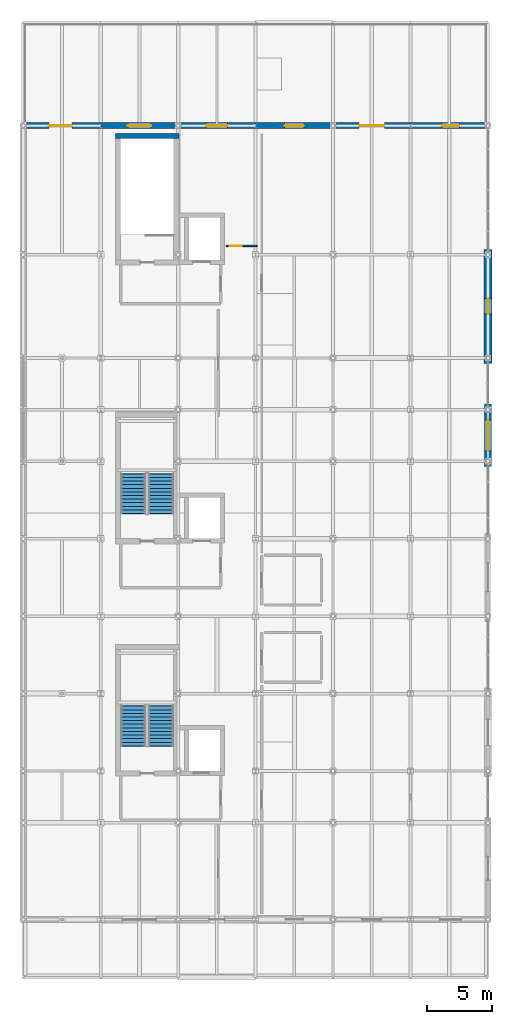
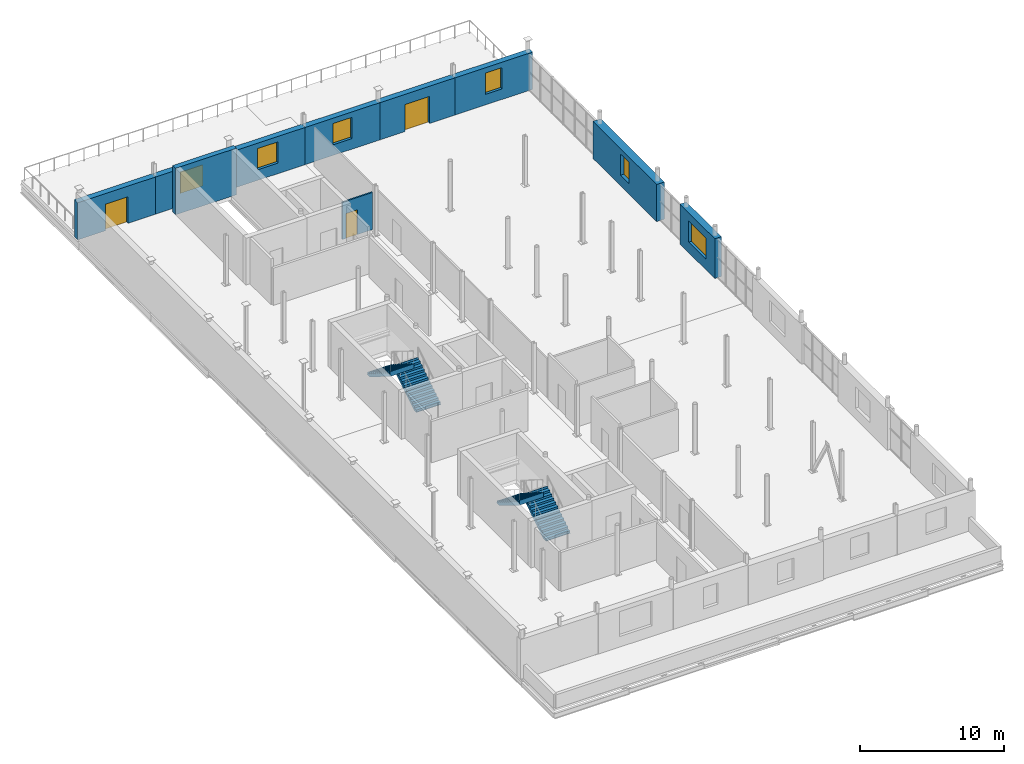
# One storey, part 28 of 30: 10 walls, 6 windows, 4 stair flights, 3 doors, 9 openings, 2 elements without a shape of their own.
"""IFC4 building model written with IfcOpenShell, lengths in metres."""

from ifc_helpers import new_model, si_unit, direction, frame, frame_2d, origin, place, context, subcontext, project, spatial, polyline, rectangle, outline, extrude, material, layer, layer_set, type_object, element, fill, aggregate, save


model = new_model("IFC4")

# Units and contexts
model_context = context("Model", 3, precision=1e-05, world=origin(), true_north=direction((0.0, 1.0)))
body_context = subcontext(model_context, "Body", "Model", "MODEL_VIEW")
ifc_project = project(units=[si_unit("LENGTHUNIT", "METRE"), si_unit("AREAUNIT", "SQUARE_METRE"), si_unit("VOLUMEUNIT", "CUBIC_METRE"), si_unit("PLANEANGLEUNIT", "RADIAN"), si_unit("MASSUNIT", "GRAM", prefix="KILO")], contexts=[model_context])

# Site, building, storey
site_placement = place(None, origin())
site = spatial("IfcSite", under=ifc_project, at=site_placement, CompositionType="ELEMENT")
building_placement = place(site_placement, origin())
building = spatial("IfcBuilding", under=site, at=building_placement, Name="Verrall Gate Interchange", CompositionType="ELEMENT")
storey_placement = place(building_placement, frame((0.0, 0.0, 19.39990234375)))
storey = spatial("IfcBuildingStorey", under=building, at=storey_placement, Name="L05", CompositionType="ELEMENT", Elevation=19.39990234375)

# Wall, opening, window
ifc_material_1 = material(Name="Tyndall Dolomitic Limestone Ashlar Cavity Assembly (U=0.18)", Category="masonry")
ifc_layer_1 = layer(ifc_material_1, 0.4599609375)
ifc_layer_set_1 = layer_set([ifc_layer_1], Name="Tyndall Dolomitic Limestone Ashlar Cavity Assembly (U=0.18)")
wall_type_1 = type_object("IfcWallType", Name="EW-02 Exterior Solid Wall 460", PredefinedType="SOLIDWALL", material=ifc_layer_set_1)
wall_1_placement = place(storey_placement, frame((36.25, 66.0, 0.0), z_axis=(0.0, 0.0, 1.0), x_axis=(-1.0, 0.0, 0.0)))
wall_1 = element("IfcWall", 1, at=wall_1_placement, inside=storey, type_object=wall_type_1, Name="L05 Classical Limestone Facade Wall 134", PredefinedType="SOLIDWALL", context=body_context, shape_type="SweptSolid", body=[
    extrude(rectangle(XDim=6.258056640625, YDim=0.4599609375, at=frame_2d((3.12890625, 0.0))), origin(), (0.0, 0.0, 1.0), 3.156982421875),
])
opening_1_placement = place(wall_1_placement, frame((2.4541015625, 0.0, 0.89990234375)))
opening_1 = element("IfcOpeningElement", 2, at=opening_1_placement, cuts=wall_1, Name="Opening WN-02", PredefinedType="OPENING", context=body_context, shape_type="SweptSolid", body=[
    extrude(rectangle(XDim=1.35009765625, YDim=1.800048828125, at=frame_2d((0.675048828125, 0.89990234375))), frame((0.0, 0.244873046875, 0.0), z_axis=(0.0, -1.0, 0.0), x_axis=(1.0, 0.0, 0.0)), (0.0, 0.0, 1.0), 0.48974609375),
])
ifc_material_2 = material(Name="Triple-Glazed Low-E Argon Bronze-Clad Window Unit (U=1.40)", Category="glass")
window_type_1 = type_object("IfcWindowType", Name="WN-02 Classical Deep-Reveal Window 1350x1800", PartitioningType="SINGLE_PANEL", PredefinedType="WINDOW", material=ifc_material_2)
window_1_placement = place(opening_1_placement, origin())
window_1 = element("IfcWindow", 3, at=window_1_placement, inside=storey, type_object=window_type_1, Name="L05 Classical Window 072 (WN-02)", OverallHeight=1.800048828125, OverallWidth=1.35009765625, PartitioningType="SINGLE_PANEL", PredefinedType="WINDOW", context=body_context, shape_type="SweptSolid", body=[
    extrude(rectangle(XDim=1.35009765625, YDim=1.800048828125, at=frame_2d((0.675048828125, 0.89990234375))), frame((0.0, 0.030029296875, 0.0), z_axis=(0.0, -1.0, 0.0), x_axis=(1.0, 0.0, 0.0)), (0.0, 0.0, 1.0), 0.06005859375),
])
fill(opening_1, window_1)

# Wall, opening, door
wall_2_placement = place(storey_placement, frame((30.008056640625, 66.0, 0.0), z_axis=(0.0, 0.0, 1.0), x_axis=(-1.0, 0.0, 0.0)))
wall_2 = element("IfcWall", 4, at=wall_2_placement, inside=storey, type_object=wall_type_1, Name="L05 Classical Limestone Facade Wall 135", PredefinedType="SOLIDWALL", context=body_context, shape_type="SweptSolid", body=[
    extrude(rectangle(XDim=6.01611328125, YDim=0.4599609375, at=frame_2d((3.008056640625, 0.0))), origin(), (0.0, 0.0, 1.0), 3.156982421875),
])
opening_2_placement = place(wall_2_placement, frame((2.032958984375, 0.0, 0.0)))
opening_2 = element("IfcOpeningElement", 5, at=opening_2_placement, cuts=wall_2, Name="Opening E48", PredefinedType="OPENING", context=body_context, shape_type="SweptSolid", body=[
    extrude(rectangle(XDim=1.949951171875, YDim=2.300048828125, at=frame_2d((0.97509765625, 1.14990234375))), frame((0.0, 0.244873046875, 0.0), z_axis=(0.0, -1.0, 0.0), x_axis=(1.0, 0.0, 0.0)), (0.0, 0.0, 1.0), 0.48974609375),
])
ifc_material_3 = material(Name="Thermally Broken Bronze-Anodized Aluminium Entrance Assembly", Category="aluminium")
door_type_1 = type_object("IfcDoorType", Name="GD-02 Exterior Entrance Door 1950x2300", OperationType="NOTDEFINED", PredefinedType="DOOR", material=ifc_material_3)
door_1_placement = place(opening_2_placement, origin())
door_1 = element("IfcDoor", 6, at=door_1_placement, inside=storey, type_object=door_type_1, Name="L05 Roof Garden Terrace Door E48", OperationType="DOUBLE_DOOR_SINGLE_SWING", OverallHeight=2.300048828125, OverallWidth=1.949951171875, PredefinedType="DOOR", context=body_context, shape_type="SweptSolid", body=[
    extrude(rectangle(XDim=1.949951171875, YDim=2.300048828125, at=frame_2d((0.97509765625, 1.14990234375))), frame((0.0, 0.02490234375, 0.0), z_axis=(0.0, -1.0, 0.0), x_axis=(1.0, 0.0, 0.0)), (0.0, 0.0, 1.0), 0.050048828125),
])
fill(opening_2, door_1)

# Wall, opening, window
wall_3_placement = place(storey_placement, frame((24.008056640625, 66.0, 0.0), z_axis=(0.0, 0.0, 1.0), x_axis=(-1.0, 0.0, 0.0)))
wall_3 = element("IfcWall", 7, at=wall_3_placement, inside=storey, type_object=wall_type_1, Name="L05 Classical Limestone Facade Wall 136", PredefinedType="SOLIDWALL", context=body_context, shape_type="SweptSolid", body=[
    extrude(rectangle(XDim=6.01611328125, YDim=0.4599609375, at=frame_2d((3.008056640625, 0.0))), origin(), (0.0, 0.0, 1.0), 3.156982421875),
])
opening_3_placement = place(wall_3_placement, frame((2.258056640625, 0.0, 0.89990234375)))
opening_3 = element("IfcOpeningElement", 8, at=opening_3_placement, cuts=wall_3, Name="Opening WN-03", PredefinedType="OPENING", context=body_context, shape_type="SweptSolid", body=[
    extrude(rectangle(XDim=1.5, YDim=1.800048828125, at=frame_2d((0.75, 0.89990234375))), frame((0.0, 0.244873046875, 0.0), z_axis=(0.0, -1.0, 0.0), x_axis=(1.0, 0.0, 0.0)), (0.0, 0.0, 1.0), 0.48974609375),
])
ifc_material_4 = material(Name="Triple-Glazed Low-E Argon Bronze-Clad Window Unit (U=1.40)", Category="glass")
window_type_2 = type_object("IfcWindowType", Name="WN-03 Classical Deep-Reveal Window 1500x1800", PartitioningType="SINGLE_PANEL", PredefinedType="WINDOW", material=ifc_material_4)
window_2_placement = place(opening_3_placement, origin())
window_2 = element("IfcWindow", 9, at=window_2_placement, inside=storey, type_object=window_type_2, Name="L05 Classical Window 073 (WN-03)", OverallHeight=1.800048828125, OverallWidth=1.5, PartitioningType="SINGLE_PANEL", PredefinedType="WINDOW", context=body_context, shape_type="SweptSolid", body=[
    extrude(rectangle(XDim=1.5, YDim=1.800048828125, at=frame_2d((0.75, 0.89990234375))), frame((0.0, 0.030029296875, 0.0), z_axis=(0.0, -1.0, 0.0), x_axis=(1.0, 0.0, 0.0)), (0.0, 0.0, 1.0), 0.06005859375),
])
fill(opening_3, window_2)

wall_4_placement = place(storey_placement, frame((18.008056640625, 66.0, 0.0), z_axis=(0.0, 0.0, 1.0), x_axis=(-1.0, 0.0, 0.0)))
wall_4 = element("IfcWall", 10, at=wall_4_placement, inside=storey, type_object=wall_type_1, Name="L05 Classical Limestone Facade Wall 137", PredefinedType="SOLIDWALL", context=body_context, shape_type="SweptSolid", body=[
    extrude(rectangle(XDim=6.01611328125, YDim=0.4599609375, at=frame_2d((3.008056640625, 0.0))), origin(), (0.0, 0.0, 1.0), 3.156982421875),
])
opening_4_placement = place(wall_4_placement, frame((2.18310546875, 0.0, 0.89990234375)))
opening_4 = element("IfcOpeningElement", 11, at=opening_4_placement, cuts=wall_4, Name="Opening WN-04", PredefinedType="OPENING", context=body_context, shape_type="SweptSolid", body=[
    extrude(rectangle(XDim=1.64990234375, YDim=1.800048828125, at=frame_2d((0.824951171875, 0.89990234375))), frame((0.0, 0.244873046875, 0.0), z_axis=(0.0, -1.0, 0.0), x_axis=(1.0, 0.0, 0.0)), (0.0, 0.0, 1.0), 0.48974609375),
])
ifc_material_5 = material(Name="Triple-Glazed Low-E Argon Bronze-Clad Window Unit (U=1.40)", Category="glass")
window_type_3 = type_object("IfcWindowType", Name="WN-04 Classical Deep-Reveal Window 1650x1800", PartitioningType="SINGLE_PANEL", PredefinedType="WINDOW", material=ifc_material_5)
window_3_placement = place(opening_4_placement, origin())
window_3 = element("IfcWindow", 12, at=window_3_placement, inside=storey, type_object=window_type_3, Name="L05 Classical Window 074 (WN-04)", OverallHeight=1.800048828125, OverallWidth=1.64990234375, PartitioningType="SINGLE_PANEL", PredefinedType="WINDOW", context=body_context, shape_type="SweptSolid", body=[
    extrude(rectangle(XDim=1.64990234375, YDim=1.800048828125, at=frame_2d((0.824951171875, 0.89990234375))), frame((0.0, 0.030029296875, 0.0), z_axis=(0.0, -1.0, 0.0), x_axis=(1.0, 0.0, 0.0)), (0.0, 0.0, 1.0), 0.06005859375),
])
fill(opening_4, window_3)

wall_5_placement = place(storey_placement, frame((12.008056640625, 66.0, 0.0), z_axis=(0.0, 0.0, 1.0), x_axis=(-1.0, 0.0, 0.0)))
wall_5 = element("IfcWall", 13, at=wall_5_placement, inside=storey, type_object=wall_type_1, Name="L05 Classical Limestone Facade Wall 138", PredefinedType="SOLIDWALL", context=body_context, shape_type="SweptSolid", body=[
    extrude(rectangle(XDim=6.01611328125, YDim=0.4599609375, at=frame_2d((3.008056640625, 0.0))), origin(), (0.0, 0.0, 1.0), 3.156982421875),
])
opening_5_placement = place(wall_5_placement, frame((2.10791015625, 0.0, 0.89990234375)))
opening_5 = element("IfcOpeningElement", 14, at=opening_5_placement, cuts=wall_5, Name="Opening WN-05", PredefinedType="OPENING", context=body_context, shape_type="SweptSolid", body=[
    extrude(rectangle(XDim=1.800048828125, YDim=1.800048828125, at=frame_2d((0.89990234375, 0.89990234375))), frame((0.0, 0.244873046875, 0.0), z_axis=(0.0, -1.0, 0.0), x_axis=(1.0, 0.0, 0.0)), (0.0, 0.0, 1.0), 0.48974609375),
])
ifc_material_6 = material(Name="Triple-Glazed Low-E Argon Bronze-Clad Window Unit (U=1.40)", Category="glass")
window_type_4 = type_object("IfcWindowType", Name="WN-05 Classical Deep-Reveal Window 1800x1800", PartitioningType="SINGLE_PANEL", PredefinedType="WINDOW", material=ifc_material_6)
window_4_placement = place(opening_5_placement, origin())
window_4 = element("IfcWindow", 15, at=window_4_placement, inside=storey, type_object=window_type_4, Name="L05 Classical Window 075 (WN-05)", OverallHeight=1.800048828125, OverallWidth=1.800048828125, PartitioningType="SINGLE_PANEL", PredefinedType="WINDOW", context=body_context, shape_type="SweptSolid", body=[
    extrude(rectangle(XDim=1.800048828125, YDim=1.800048828125, at=frame_2d((0.89990234375, 0.89990234375))), frame((0.0, 0.030029296875, 0.0), z_axis=(0.0, -1.0, 0.0), x_axis=(1.0, 0.0, 0.0)), (0.0, 0.0, 1.0), 0.06005859375),
])
fill(opening_5, window_4)

# Wall, opening, door
wall_6_placement = place(storey_placement, frame((6.008056640625, 66.0, 0.0), z_axis=(0.0, 0.0, 1.0), x_axis=(-1.0, 0.0, 0.0)))
wall_6 = element("IfcWall", 16, at=wall_6_placement, inside=storey, type_object=wall_type_1, Name="L05 Classical Limestone Facade Wall 139", PredefinedType="SOLIDWALL", context=body_context, shape_type="SweptSolid", body=[
    extrude(rectangle(XDim=6.258056640625, YDim=0.4599609375, at=frame_2d((3.12890625, 0.0))), origin(), (0.0, 0.0, 1.0), 3.156982421875),
])
opening_6_placement = place(wall_6_placement, frame((2.22900390625, 0.0, 0.0)))
opening_6 = element("IfcOpeningElement", 17, at=opening_6_placement, cuts=wall_6, Name="Opening E49", PredefinedType="OPENING", context=body_context, shape_type="SweptSolid", body=[
    extrude(rectangle(XDim=1.800048828125, YDim=2.25, at=frame_2d((0.89990234375, 1.125))), frame((0.0, 0.244873046875, 0.0), z_axis=(0.0, -1.0, 0.0), x_axis=(1.0, 0.0, 0.0)), (0.0, 0.0, 1.0), 0.48974609375),
])
ifc_material_7 = material(Name="Thermally Broken Bronze-Anodized Aluminium Entrance Assembly", Category="aluminium")
door_type_2 = type_object("IfcDoorType", Name="GD-01 Exterior Entrance Door 1800x2250", OperationType="NOTDEFINED", PredefinedType="DOOR", material=ifc_material_7)
door_2_placement = place(opening_6_placement, origin())
door_2 = element("IfcDoor", 18, at=door_2_placement, inside=storey, type_object=door_type_2, Name="L05 Roof Garden Terrace Door E49", OperationType="DOUBLE_DOOR_SINGLE_SWING", OverallHeight=2.25, OverallWidth=1.800048828125, PredefinedType="DOOR", context=body_context, shape_type="SweptSolid", body=[
    extrude(rectangle(XDim=1.800048828125, YDim=2.25, at=frame_2d((0.89990234375, 1.125))), frame((0.0, 0.02490234375, 0.0), z_axis=(0.0, -1.0, 0.0), x_axis=(1.0, 0.0, 0.0)), (0.0, 0.0, 1.0), 0.050048828125),
])
fill(opening_6, door_2)

# Wall, opening, window
ifc_material_8 = material(Name="Prairie Charcoal Granite Plinth Rainscreen Assembly (U=0.18)", Category="masonry")
ifc_layer_2 = layer(ifc_material_8, 0.52001953125)
ifc_layer_set_2 = layer_set([ifc_layer_2], Name="Prairie Charcoal Granite Plinth Rainscreen Assembly (U=0.18)")
wall_type_2 = type_object("IfcWallType", Name="EW-03 Exterior Solid Wall 520", PredefinedType="SOLIDWALL", material=ifc_layer_set_2)
wall_7_placement = place(storey_placement, frame((36.0, 39.580078125, 0.0), z_axis=(0.0, 0.0, 1.0), x_axis=(0.0, 1.0, 0.0)))
wall_7 = element("IfcWall", 19, at=wall_7_placement, inside=storey, type_object=wall_type_2, Name="L05 Classical Limestone Facade Wall 132", PredefinedType="SOLIDWALL", context=body_context, shape_type="SweptSolid", body=[
    extrude(rectangle(XDim=4.83984375, YDim=0.52001953125, at=frame_2d((2.419921875, 0.0))), origin(), (0.0, 0.0, 1.0), 3.38720703125),
])
opening_7_placement = place(wall_7_placement, frame((1.219970703125, 0.0, 0.89990234375)))
opening_7 = element("IfcOpeningElement", 20, at=opening_7_placement, cuts=wall_7, Name="Opening WN-08", PredefinedType="OPENING", context=body_context, shape_type="SweptSolid", body=[
    extrude(rectangle(XDim=2.39990234375, YDim=1.800048828125, at=frame_2d((1.199951171875, 0.89990234375))), frame((0.0, 0.27490234375, 0.0), z_axis=(0.0, -1.0, 0.0), x_axis=(1.0, 0.0, 0.0)), (0.0, 0.0, 1.0), 0.5498046875),
])
ifc_material_9 = material(Name="Triple-Glazed Low-E Argon Bronze-Clad Window Unit (U=1.40)", Category="glass")
window_type_5 = type_object("IfcWindowType", Name="WN-08 Classical Deep-Reveal Window 2400x1800", PartitioningType="SINGLE_PANEL", PredefinedType="WINDOW", material=ifc_material_9)
window_5_placement = place(opening_7_placement, origin())
window_5 = element("IfcWindow", 21, at=window_5_placement, inside=storey, type_object=window_type_5, Name="L05 Classical Window 070 (WN-08)", OverallHeight=1.800048828125, OverallWidth=2.39990234375, PartitioningType="SINGLE_PANEL", PredefinedType="WINDOW", context=body_context, shape_type="SweptSolid", body=[
    extrude(rectangle(XDim=2.39990234375, YDim=1.800048828125, at=frame_2d((1.199951171875, 0.89990234375))), frame((0.0, 0.030029296875, 0.0), z_axis=(0.0, -1.0, 0.0), x_axis=(1.0, 0.0, 0.0)), (0.0, 0.0, 1.0), 0.06005859375),
])
fill(opening_7, window_5)

ifc_material_10 = material(Name="Prairie Charcoal Granite Plinth Rainscreen Assembly (U=0.18)", Category="masonry")
ifc_layer_3 = layer(ifc_material_10, 0.6201171875)
ifc_layer_set_3 = layer_set([ifc_layer_3], Name="Prairie Charcoal Granite Plinth Rainscreen Assembly (U=0.18)")
wall_type_3 = type_object("IfcWallType", Name="EW-05 Exterior Solid Wall 620", PredefinedType="SOLIDWALL", material=ifc_layer_set_3)
wall_8_placement = place(storey_placement, frame((36.0, 47.580078125, 0.0), z_axis=(0.0, 0.0, 1.0), x_axis=(0.0, 1.0, 0.0)))
wall_8 = element("IfcWall", 22, at=wall_8_placement, inside=storey, type_object=wall_type_3, Name="L05 Classical Limestone Facade Wall 133", PredefinedType="SOLIDWALL", context=body_context, shape_type="SweptSolid", body=[
    extrude(rectangle(XDim=8.83984375, YDim=0.6201171875, at=frame_2d((4.419921875, 0.0))), origin(), (0.0, 0.0, 1.0), 3.156982421875),
])
opening_8_placement = place(wall_8_placement, frame((3.820068359375, 0.0, 0.89990234375)))
opening_8 = element("IfcOpeningElement", 23, at=opening_8_placement, cuts=wall_8, Name="Opening WN-01", PredefinedType="OPENING", context=body_context, shape_type="SweptSolid", body=[
    extrude(rectangle(XDim=1.199951171875, YDim=1.800048828125, at=frame_2d((0.60009765625, 0.89990234375))), frame((0.0, 0.324951171875, 0.0), z_axis=(0.0, -1.0, 0.0), x_axis=(1.0, 0.0, 0.0)), (0.0, 0.0, 1.0), 0.64990234375),
])
ifc_material_11 = material(Name="Triple-Glazed Low-E Argon Bronze-Clad Window Unit (U=1.40)", Category="glass")
window_type_6 = type_object("IfcWindowType", Name="WN-01 Classical Deep-Reveal Window 1200x1800", PartitioningType="SINGLE_PANEL", PredefinedType="WINDOW", material=ifc_material_11)
window_6_placement = place(opening_8_placement, origin())
window_6 = element("IfcWindow", 24, at=window_6_placement, inside=storey, type_object=window_type_6, Name="L05 Classical Window 071 (WN-01)", OverallHeight=1.800048828125, OverallWidth=1.199951171875, PartitioningType="SINGLE_PANEL", PredefinedType="WINDOW", context=body_context, shape_type="SweptSolid", body=[
    extrude(rectangle(XDim=1.199951171875, YDim=1.800048828125, at=frame_2d((0.60009765625, 0.89990234375))), frame((0.0, 0.030029296875, 0.0), z_axis=(0.0, -1.0, 0.0), x_axis=(1.0, 0.0, 0.0)), (0.0, 0.0, 1.0), 0.06005859375),
])
fill(opening_8, window_6)

# Wall, opening, door
ifc_material_12 = material(Name="Acoustic Steel-Stud Partition Assembly", Category="steel")
ifc_layer_4 = layer(ifc_material_12, 0.1201171875)
ifc_layer_set_4 = layer_set([ifc_layer_4], Name="Acoustic Steel-Stud Partition Assembly")
wall_type_4 = type_object("IfcWallType", Name="IW-04 Interior Partition Wall 120", PredefinedType="PARTITIONING", material=ifc_layer_set_4)
wall_9_placement = place(storey_placement, frame((18.1201171875, 56.679931640625, 0.0), z_axis=(0.0, 0.0, 1.0), x_axis=(-1.0, 0.0, 0.0)))
wall_9 = element("IfcWall", 25, at=wall_9_placement, inside=storey, type_object=wall_type_4, Name="L05 Technician Briefing and Break Pantry Partition 089", PredefinedType="PARTITIONING", context=body_context, shape_type="SweptSolid", body=[
    extrude(rectangle(XDim=2.41015625, YDim=0.1201171875, at=frame_2d((1.205078125, 0.0))), origin(), (0.0, 0.0, 1.0), 3.156982421875),
])
opening_9_placement = place(wall_9_placement, frame((1.2099609375, 0.0, 0.0)))
opening_9 = element("IfcOpeningElement", 26, at=opening_9_placement, cuts=wall_9, Name="Opening D061", PredefinedType="OPENING", context=body_context, shape_type="SweptSolid", body=[
    extrude(rectangle(XDim=0.919921875, YDim=2.10009765625, at=frame_2d((0.4599609375, 1.050048828125))), frame((0.0, 0.074951171875, 0.0), z_axis=(0.0, -1.0, 0.0), x_axis=(1.0, 0.0, 0.0)), (0.0, 0.0, 1.0), 0.14990234375),
])
ifc_material_13 = material(Name="Architectural Solid-Core Birch Acoustic Door Assembly", Category="wood")
door_type_3 = type_object("IfcDoorType", Name="ID-10 Interior Swing Door 920x2100", OperationType="NOTDEFINED", PredefinedType="DOOR", material=ifc_material_13)
door_3_placement = place(opening_9_placement, origin())
door_3 = element("IfcDoor", 27, at=door_3_placement, inside=storey, type_object=door_type_3, Name="L05 Technician Briefing and Break Pantry Door D061", OperationType="SINGLE_SWING_RIGHT", OverallHeight=2.10009765625, OverallWidth=0.919921875, PredefinedType="DOOR", context=body_context, shape_type="SweptSolid", body=[
    extrude(rectangle(XDim=0.919921875, YDim=2.10009765625, at=frame_2d((0.4599609375, 1.050048828125))), frame((0.0, 0.02490234375, 0.0), z_axis=(0.0, -1.0, 0.0), x_axis=(1.0, 0.0, 0.0)), (0.0, 0.0, 1.0), 0.050048828125),
])
fill(opening_9, door_3)

# Wall
ifc_material_14 = material(Name="Concrete CSA A23.1 40 MPa (Class N)", Category="concrete")
ifc_layer_5 = layer(ifc_material_14, 0.39990234375)
ifc_layer_set_5 = layer_set([ifc_layer_5], Name="Concrete CSA A23.1 40 MPa (Class N)")
wall_type_5 = type_object("IfcWallType", Name="SW-01 Core Shear Wall 400", PredefinedType="SHEAR", material=ifc_layer_set_5)
wall_10_placement = place(storey_placement, frame((12.050048828125, 65.199951171875, 0.0), z_axis=(0.0, 0.0, 1.0), x_axis=(-1.0, 0.0, 0.0)))
element("IfcWall", 28, at=wall_10_placement, inside=storey, type_object=wall_type_5, Name="L05 Core C3 North Shear Wall", PredefinedType="SHEAR", context=body_context, shape_type="SweptSolid", body=[
    extrude(rectangle(XDim=4.900146484375, YDim=0.39990234375, at=frame_2d((2.4501953125, 0.0))), origin(), (0.0, 0.0, 1.0), 3.9501953125),
])

# Stair, stair flights
ifc_material_15 = material(Name="Concrete CSA A23.1 40 MPa (Class N)", Category="concrete")
stair_type = type_object("IfcStairType", Name="ST-T05 Straight-Flight Return Exit Stair W1950 H4200", PredefinedType="STRAIGHT_RUN_STAIR", material=ifc_material_15)
stair_1_placement = place(storey_placement, origin())
stair_1 = element("IfcStair", 29, at=stair_1_placement, inside=storey, type_object=stair_type, Name="L05 ST-01", PredefinedType="STRAIGHT_RUN_STAIR")
ifc_material_16 = material(Name="Concrete CSA A23.1 40 MPa (Class N)", Category="concrete")
stair_flight_type = type_object("IfcStairFlightType", Name="SF-T05 Concrete Stair Flight W1950 R175 N24", PredefinedType="STRAIGHT", material=ifc_material_16)
stair_flight_1_placement = place(storey_placement, frame((10.675048828125, 17.949951171875, 0.0), z_axis=(0.0, 0.0, 1.0), x_axis=(0.0, 1.0, 0.0)))
stair_flight_1 = element("IfcStairFlight", 30, at=stair_flight_1_placement, type_object=stair_flight_type, Name="ST-01 flight 1", NumberOfRisers=12, NumberOfTreads=11, PredefinedType="STRAIGHT", RiserHeight=0.175, TreadLength=0.28, context=body_context, shape_type="SweptSolid", body=[
    extrude(outline(polyline([(-0.034912109375, -0.02001953125), (-0.034912109375, 0.0), (0.0, 0.0), (0.0, 0.175048828125), (0.280029296875, 0.175048828125), (0.280029296875, 0.35009765625), (0.56005859375, 0.35009765625), (0.56005859375, 0.52490234375), (0.840087890625, 0.52490234375), (0.840087890625, 0.699951171875), (1.1201171875, 0.699951171875), (1.1201171875, 0.875), (1.39990234375, 0.875), (1.39990234375, 1.050048828125), (1.679931640625, 1.050048828125), (1.679931640625, 1.22509765625), (1.9599609375, 1.22509765625), (1.9599609375, 1.39990234375), (2.239990234375, 1.39990234375), (2.239990234375, 1.574951171875), (2.52001953125, 1.574951171875), (2.52001953125, 1.75), (2.800048828125, 1.75), (2.800048828125, 1.925048828125), (3.080078125, 1.925048828125), (3.080078125, 2.10009765625), (3.114990234375, 2.10009765625), (3.114990234375, 1.689208984375), (0.34521484375, -0.02001953125), (-0.034912109375, -0.02001953125)])), frame((0.0, 0.97509765625, 0.0), z_axis=(0.0, -1.0, 0.0), x_axis=(1.0, 0.0, 0.0)), (0.0, 0.0, 1.0), 1.949951171875),
])
stair_flight_2_placement = place(storey_placement, frame((8.52490234375, 21.030029296875, 2.10009765625), z_axis=(0.0, 0.0, 1.0), x_axis=(0.0, -1.0, 0.0)))
stair_flight_2 = element("IfcStairFlight", 31, at=stair_flight_2_placement, type_object=stair_flight_type, Name="ST-01 flight 2", NumberOfRisers=12, NumberOfTreads=11, PredefinedType="STRAIGHT", RiserHeight=0.175, TreadLength=0.28, context=body_context, shape_type="SweptSolid", body=[
    extrude(outline(polyline([(-0.034912109375, -0.02001953125), (-0.034912109375, 0.0), (0.0, 0.0), (0.0, 0.175048828125), (0.280029296875, 0.175048828125), (0.280029296875, 0.35009765625), (0.56005859375, 0.35009765625), (0.56005859375, 0.52490234375), (0.840087890625, 0.52490234375), (0.840087890625, 0.699951171875), (1.1201171875, 0.699951171875), (1.1201171875, 0.875), (1.39990234375, 0.875), (1.39990234375, 1.050048828125), (1.679931640625, 1.050048828125), (1.679931640625, 1.22509765625), (1.9599609375, 1.22509765625), (1.9599609375, 1.39990234375), (2.239990234375, 1.39990234375), (2.239990234375, 1.574951171875), (2.52001953125, 1.574951171875), (2.52001953125, 1.75), (2.800048828125, 1.75), (2.800048828125, 1.925048828125), (3.080078125, 1.925048828125), (3.080078125, 2.10009765625), (3.114990234375, 2.10009765625), (3.114990234375, 1.689208984375), (0.34521484375, -0.02001953125), (-0.034912109375, -0.02001953125)])), frame((0.0, 0.97509765625, 0.0), z_axis=(0.0, -1.0, 0.0), x_axis=(1.0, 0.0, 0.0)), (0.0, 0.0, 1.0), 1.949951171875),
])
aggregate(stair_1, [stair_flight_1, stair_flight_2])

stair_2_placement = place(storey_placement, origin())
stair_2 = element("IfcStair", 32, at=stair_2_placement, inside=storey, type_object=stair_type, Name="L05 ST-02", PredefinedType="STRAIGHT_RUN_STAIR")
stair_flight_3_placement = place(storey_placement, frame((10.675048828125, 35.949951171875, 0.0), z_axis=(0.0, 0.0, 1.0), x_axis=(0.0, 1.0, 0.0)))
stair_flight_3 = element("IfcStairFlight", 33, at=stair_flight_3_placement, type_object=stair_flight_type, Name="ST-02 flight 1", NumberOfRisers=12, NumberOfTreads=11, PredefinedType="STRAIGHT", RiserHeight=0.175, TreadLength=0.28, context=body_context, shape_type="SweptSolid", body=[
    extrude(outline(polyline([(-0.034912109375, -0.02001953125), (-0.034912109375, 0.0), (0.0, 0.0), (0.0, 0.175048828125), (0.280029296875, 0.175048828125), (0.280029296875, 0.35009765625), (0.56005859375, 0.35009765625), (0.56005859375, 0.52490234375), (0.840087890625, 0.52490234375), (0.840087890625, 0.699951171875), (1.1201171875, 0.699951171875), (1.1201171875, 0.875), (1.39990234375, 0.875), (1.39990234375, 1.050048828125), (1.679931640625, 1.050048828125), (1.679931640625, 1.22509765625), (1.9599609375, 1.22509765625), (1.9599609375, 1.39990234375), (2.239990234375, 1.39990234375), (2.239990234375, 1.574951171875), (2.52001953125, 1.574951171875), (2.52001953125, 1.75), (2.800048828125, 1.75), (2.800048828125, 1.925048828125), (3.080078125, 1.925048828125), (3.080078125, 2.10009765625), (3.114990234375, 2.10009765625), (3.114990234375, 1.689208984375), (0.34521484375, -0.02001953125), (-0.034912109375, -0.02001953125)])), frame((0.0, 0.97509765625, 0.0), z_axis=(0.0, -1.0, 0.0), x_axis=(1.0, 0.0, 0.0)), (0.0, 0.0, 1.0), 1.949951171875),
])
stair_flight_4_placement = place(storey_placement, frame((8.52490234375, 39.030029296875, 2.10009765625), z_axis=(0.0, 0.0, 1.0), x_axis=(0.0, -1.0, 0.0)))
stair_flight_4 = element("IfcStairFlight", 34, at=stair_flight_4_placement, type_object=stair_flight_type, Name="ST-02 flight 2", NumberOfRisers=12, NumberOfTreads=11, PredefinedType="STRAIGHT", RiserHeight=0.175, TreadLength=0.28, context=body_context, shape_type="SweptSolid", body=[
    extrude(outline(polyline([(-0.034912109375, -0.02001953125), (-0.034912109375, 0.0), (0.0, 0.0), (0.0, 0.175048828125), (0.280029296875, 0.175048828125), (0.280029296875, 0.35009765625), (0.56005859375, 0.35009765625), (0.56005859375, 0.52490234375), (0.840087890625, 0.52490234375), (0.840087890625, 0.699951171875), (1.1201171875, 0.699951171875), (1.1201171875, 0.875), (1.39990234375, 0.875), (1.39990234375, 1.050048828125), (1.679931640625, 1.050048828125), (1.679931640625, 1.22509765625), (1.9599609375, 1.22509765625), (1.9599609375, 1.39990234375), (2.239990234375, 1.39990234375), (2.239990234375, 1.574951171875), (2.52001953125, 1.574951171875), (2.52001953125, 1.75), (2.800048828125, 1.75), (2.800048828125, 1.925048828125), (3.080078125, 1.925048828125), (3.080078125, 2.10009765625), (3.114990234375, 2.10009765625), (3.114990234375, 1.689208984375), (0.34521484375, -0.02001953125), (-0.034912109375, -0.02001953125)])), frame((0.0, 0.97509765625, 0.0), z_axis=(0.0, -1.0, 0.0), x_axis=(1.0, 0.0, 0.0)), (0.0, 0.0, 1.0), 1.949951171875),
])
aggregate(stair_2, [stair_flight_3, stair_flight_4])

save(model, "model.ifc")
